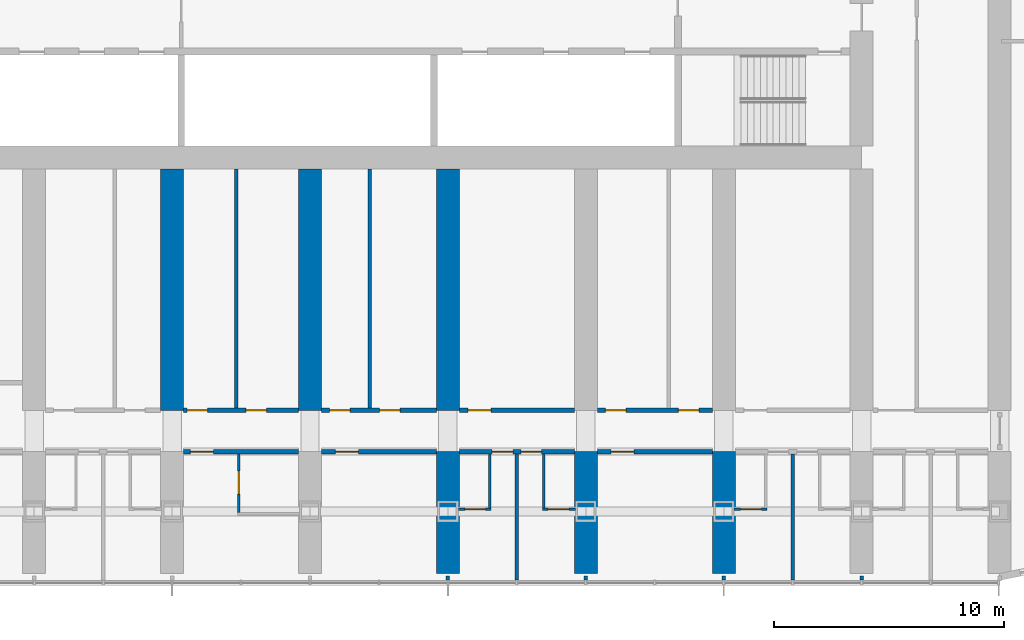
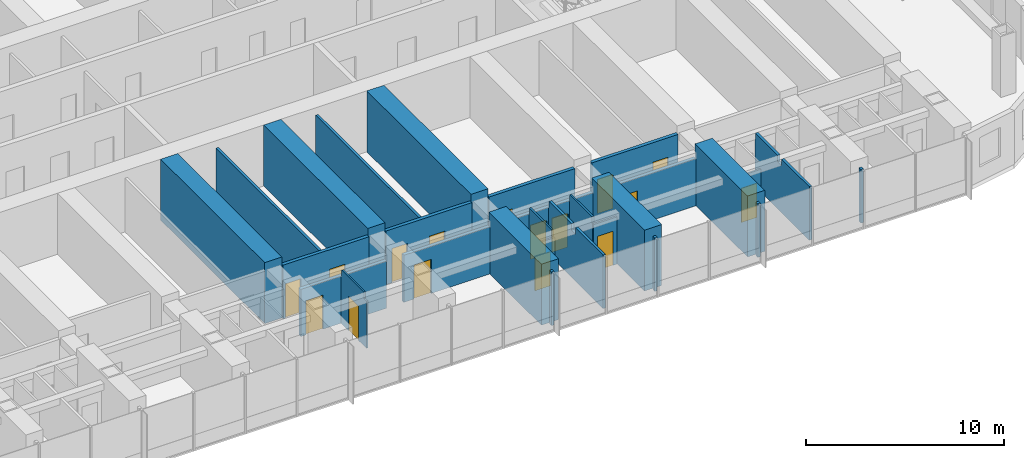
# One storey, part 12 of 24: 28 walls, 16 doors, 16 openings.
"""IFC4 building model written with IfcOpenShell, lengths in metres."""

from ifc_helpers import new_model, si_unit, direction, frame, frame_2d, origin, place, context, subcontext, project, spatial, polyline, rectangle, outline, extrude, material, layer, layer_set, type_object, element, fill, save


model = new_model("IFC4")

# Units and contexts
model_context = context("Model", 3, precision=1e-05, world=origin(), true_north=direction((0.0, 1.0)))
body_context = subcontext(model_context, "Body", "Model", "MODEL_VIEW")
ifc_project = project(units=[si_unit("LENGTHUNIT", "METRE"), si_unit("AREAUNIT", "SQUARE_METRE"), si_unit("VOLUMEUNIT", "CUBIC_METRE"), si_unit("PLANEANGLEUNIT", "RADIAN"), si_unit("MASSUNIT", "GRAM", prefix="KILO")], contexts=[model_context])

# Site, building, storey
site_placement = place(None, origin())
site = spatial("IfcSite", under=ifc_project, at=site_placement, CompositionType="ELEMENT")
building_placement = place(site_placement, origin())
building = spatial("IfcBuilding", under=site, at=building_placement, Name="Orbita Commons", CompositionType="ELEMENT")
storey_placement = place(building_placement, frame((0.0, 0.0, 20.199951171875)))
storey = spatial("IfcBuildingStorey", under=building, at=storey_placement, Name="L04", CompositionType="ELEMENT", Elevation=20.199951171875)

# Wall, opening, door
ifc_material_1 = material(Name="Concrete blockwork", Category="masonry")
ifc_layer_1 = layer(ifc_material_1, 0.199951171875)
ifc_layer_set_1 = layer_set([ifc_layer_1], Name="Concrete blockwork")
wall_type_1 = type_object("IfcWallType", Name="Corridor wall 200 blockwork", PredefinedType="SOLIDWALL", material=ifc_layer_set_1)
wall_1_placement = place(storey_placement, frame((36.5, 13.0, 0.0), z_axis=(0.0, 0.0, 1.0), x_axis=(1.0, 0.0, 0.0)))
wall_1 = element("IfcWall", 1, at=wall_1_placement, inside=storey, type_object=wall_type_1, Name="Corridor wall 200 blockwork L04", PredefinedType="SOLIDWALL", context=body_context, shape_type="SweptSolid", body=[
    extrude(outline(polyline([(0.0, 0.0), (5.0, 0.0), (5.0, 2.900146484375), (0.0, 2.900146484375), (0.0, 0.0)])), frame((0.0, 0.10009765625, 0.0), z_axis=(0.0, -1.0, 0.0), x_axis=(1.0, 0.0, 0.0)), (0.0, 0.0, 1.0), 0.199951171875),
])
opening_1_placement = place(wall_1_placement, frame((0.300048828125, 0.0, 0.0)))
opening_1 = element("IfcOpeningElement", 2, at=opening_1_placement, cuts=wall_1, Name="Opening D06", PredefinedType="OPENING", context=body_context, shape_type="SweptSolid", body=[
    extrude(rectangle(XDim=1.0, YDim=2.10009765625, at=frame_2d((0.5, 1.050048828125))), frame((0.0, 0.10986328125, 0.0), z_axis=(0.0, -1.0, 0.0), x_axis=(1.0, 0.0, 0.0)), (0.0, 0.0, 1.0), 0.219970703125),
])
ifc_material_2 = material(Name="Steel-faced fire door leaf", Category="steel")
door_type_1 = type_object("IfcDoorType", Name="Corridor door 20 min 1000x2100", OperationType="SINGLE_SWING_LEFT", PredefinedType="DOOR", material=ifc_material_2)
door_1_placement = place(opening_1_placement, origin())
door_1 = element("IfcDoor", 3, at=door_1_placement, inside=storey, type_object=door_type_1, Name="Accessible bedroom L04-S08 door", OperationType="SINGLE_SWING_LEFT", OverallHeight=2.10009765625, OverallWidth=1.0, PredefinedType="DOOR", context=body_context, shape_type="SweptSolid", body=[
    extrude(rectangle(XDim=1.0, YDim=2.10009765625, at=frame_2d((0.5, 1.050048828125))), frame((0.0, 0.02490234375, 0.0), z_axis=(0.0, -1.0, 0.0), x_axis=(1.0, 0.0, 0.0)), (0.0, 0.0, 1.0), 0.050048828125),
])
fill(opening_1, door_1)

wall_2_placement = place(storey_placement, frame((42.5, 13.0, 0.0), z_axis=(0.0, 0.0, 1.0), x_axis=(1.0, 0.0, 0.0)))
wall_2 = element("IfcWall", 4, at=wall_2_placement, inside=storey, type_object=wall_type_1, Name="Corridor wall 200 blockwork L04", PredefinedType="SOLIDWALL", context=body_context, shape_type="SweptSolid", body=[
    extrude(outline(polyline([(0.0, 0.0), (5.0, 0.0), (5.0, 2.900146484375), (0.0, 2.900146484375), (0.0, 0.0)])), frame((0.0, 0.10009765625, 0.0), z_axis=(0.0, -1.0, 0.0), x_axis=(1.0, 0.0, 0.0)), (0.0, 0.0, 1.0), 0.199951171875),
])
opening_2_placement = place(wall_2_placement, frame((0.60009765625, 0.0, 0.0)))
opening_2 = element("IfcOpeningElement", 5, at=opening_2_placement, cuts=wall_2, Name="Opening D06", PredefinedType="OPENING", context=body_context, shape_type="SweptSolid", body=[
    extrude(rectangle(XDim=1.0, YDim=2.10009765625, at=frame_2d((0.5, 1.050048828125))), frame((0.0, 0.10986328125, 0.0), z_axis=(0.0, -1.0, 0.0), x_axis=(1.0, 0.0, 0.0)), (0.0, 0.0, 1.0), 0.219970703125),
])
door_2_placement = place(opening_2_placement, origin())
door_2 = element("IfcDoor", 6, at=door_2_placement, inside=storey, type_object=door_type_1, Name="House kitchen-diner L04-S10 door", OperationType="SINGLE_SWING_LEFT", OverallHeight=2.10009765625, OverallWidth=1.0, PredefinedType="DOOR", context=body_context, shape_type="SweptSolid", body=[
    extrude(rectangle(XDim=1.0, YDim=2.10009765625, at=frame_2d((0.5, 1.050048828125))), frame((0.0, 0.02490234375, 0.0), z_axis=(0.0, -1.0, 0.0), x_axis=(1.0, 0.0, 0.0)), (0.0, 0.0, 1.0), 0.050048828125),
])
fill(opening_2, door_2)

# Wall, openings, doors
wall_3_placement = place(storey_placement, frame((48.5, 13.0, 0.0), z_axis=(0.0, 0.0, 1.0), x_axis=(1.0, 0.0, 0.0)))
wall_3 = element("IfcWall", 7, at=wall_3_placement, inside=storey, type_object=wall_type_1, Name="Corridor wall 200 blockwork L04", PredefinedType="SOLIDWALL", context=body_context, shape_type="SweptSolid", body=[
    extrude(outline(polyline([(0.0, 0.0), (5.0, 0.0), (5.0, 2.900146484375), (0.0, 2.900146484375), (0.0, 0.0)])), frame((0.0, 0.10009765625, 0.0), z_axis=(0.0, -1.0, 0.0), x_axis=(1.0, 0.0, 0.0)), (0.0, 0.0, 1.0), 0.199951171875),
])
opening_3_placement = place(wall_3_placement, frame((1.425048828125, 0.0, 0.0)))
opening_3 = element("IfcOpeningElement", 8, at=opening_3_placement, cuts=wall_3, Name="Opening D11", PredefinedType="OPENING", context=body_context, shape_type="SweptSolid", body=[
    extrude(rectangle(XDim=0.89990234375, YDim=2.10009765625, at=frame_2d((0.449951171875, 1.050048828125))), frame((0.0, 0.10986328125, 0.0), z_axis=(0.0, -1.0, 0.0), x_axis=(1.0, 0.0, 0.0)), (0.0, 0.0, 1.0), 0.219970703125),
])
opening_4_placement = place(wall_3_placement, frame((2.675048828125, 0.0, 0.0)))
opening_4 = element("IfcOpeningElement", 9, at=opening_4_placement, cuts=wall_3, Name="Opening D11", PredefinedType="OPENING", context=body_context, shape_type="SweptSolid", body=[
    extrude(rectangle(XDim=0.89990234375, YDim=2.10009765625, at=frame_2d((0.449951171875, 1.050048828125))), frame((0.0, 0.10986328125, 0.0), z_axis=(0.0, -1.0, 0.0), x_axis=(1.0, 0.0, 0.0)), (0.0, 0.0, 1.0), 0.219970703125),
])
ifc_material_3 = material(Name="Steel-faced fire door leaf", Category="steel")
door_type_2 = type_object("IfcDoorType", Name="Corridor door 20 min 900x2100", OperationType="SINGLE_SWING_LEFT", PredefinedType="DOOR", material=ifc_material_3)
door_3_placement = place(opening_3_placement, origin())
door_3 = element("IfcDoor", 10, at=door_3_placement, inside=storey, type_object=door_type_2, Name="House bedroom L04-S12 door", OperationType="SINGLE_SWING_LEFT", OverallHeight=2.10009765625, OverallWidth=0.89990234375, PredefinedType="DOOR", context=body_context, shape_type="SweptSolid", body=[
    extrude(rectangle(XDim=0.89990234375, YDim=2.10009765625, at=frame_2d((0.449951171875, 1.050048828125))), frame((0.0, 0.02490234375, 0.0), z_axis=(0.0, -1.0, 0.0), x_axis=(1.0, 0.0, 0.0)), (0.0, 0.0, 1.0), 0.050048828125),
])
fill(opening_3, door_3)
door_4_placement = place(opening_4_placement, origin())
door_4 = element("IfcDoor", 11, at=door_4_placement, inside=storey, type_object=door_type_2, Name="House bedroom L04-S13 door", OperationType="SINGLE_SWING_LEFT", OverallHeight=2.10009765625, OverallWidth=0.89990234375, PredefinedType="DOOR", context=body_context, shape_type="SweptSolid", body=[
    extrude(rectangle(XDim=0.89990234375, YDim=2.10009765625, at=frame_2d((0.449951171875, 1.050048828125))), frame((0.0, 0.02490234375, 0.0), z_axis=(0.0, -1.0, 0.0), x_axis=(1.0, 0.0, 0.0)), (0.0, 0.0, 1.0), 0.050048828125),
])
fill(opening_4, door_4)

# Wall, opening, door
wall_4_placement = place(storey_placement, frame((54.5, 13.0, 0.0), z_axis=(0.0, 0.0, 1.0), x_axis=(1.0, 0.0, 0.0)))
wall_4 = element("IfcWall", 12, at=wall_4_placement, inside=storey, type_object=wall_type_1, Name="Corridor wall 200 blockwork L04", PredefinedType="SOLIDWALL", context=body_context, shape_type="SweptSolid", body=[
    extrude(outline(polyline([(0.0, 0.0), (5.0, 0.0), (5.0, 2.900146484375), (0.0, 2.900146484375), (0.0, 0.0)])), frame((0.0, 0.10009765625, 0.0), z_axis=(0.0, -1.0, 0.0), x_axis=(1.0, 0.0, 0.0)), (0.0, 0.0, 1.0), 0.199951171875),
])
opening_5_placement = place(wall_4_placement, frame((0.60009765625, 0.0, 0.0)))
opening_5 = element("IfcOpeningElement", 13, at=opening_5_placement, cuts=wall_4, Name="Opening D06", PredefinedType="OPENING", context=body_context, shape_type="SweptSolid", body=[
    extrude(rectangle(XDim=1.0, YDim=2.10009765625, at=frame_2d((0.5, 1.050048828125))), frame((0.0, 0.10986328125, 0.0), z_axis=(0.0, -1.0, 0.0), x_axis=(1.0, 0.0, 0.0)), (0.0, 0.0, 1.0), 0.219970703125),
])
door_5_placement = place(opening_5_placement, origin())
door_5 = element("IfcDoor", 14, at=door_5_placement, inside=storey, type_object=door_type_1, Name="House study room L04-S14 door", OperationType="SINGLE_SWING_LEFT", OverallHeight=2.10009765625, OverallWidth=1.0, PredefinedType="DOOR", context=body_context, shape_type="SweptSolid", body=[
    extrude(rectangle(XDim=1.0, YDim=2.10009765625, at=frame_2d((0.5, 1.050048828125))), frame((0.0, 0.02490234375, 0.0), z_axis=(0.0, -1.0, 0.0), x_axis=(1.0, 0.0, 0.0)), (0.0, 0.0, 1.0), 0.050048828125),
])
fill(opening_5, door_5)

# Wall, openings, doors
ifc_material_4 = material(Name="Hollow concrete block 200", Category="concrete")
ifc_layer_2 = layer(ifc_material_4, 0.199951171875)
ifc_layer_set_2 = layer_set([ifc_layer_2], Name="Hollow concrete block 200")
wall_type_2 = type_object("IfcWallType", Name="Corridor wall 200 hollow concrete block", PredefinedType="SOLIDWALL", material=ifc_layer_set_2)
wall_5_placement = place(storey_placement, frame((36.5, 14.800048828125, 0.0), z_axis=(0.0, 0.0, 1.0), x_axis=(1.0, 0.0, 0.0)))
wall_5 = element("IfcWall", 15, at=wall_5_placement, inside=storey, type_object=wall_type_2, Name="Corridor wall 200 hollow concrete block L04", PredefinedType="SOLIDWALL", context=body_context, shape_type="SweptSolid", body=[
    extrude(rectangle(XDim=5.0, YDim=0.199951171875, at=frame_2d((2.5, 0.0))), origin(), (0.0, 0.0, 1.0), 3.300048828125),
])
opening_6_placement = place(wall_5_placement, frame((0.14990234375, 0.0, 0.0)))
opening_6 = element("IfcOpeningElement", 16, at=opening_6_placement, cuts=wall_5, Name="Opening D11", PredefinedType="OPENING", context=body_context, shape_type="SweptSolid", body=[
    extrude(rectangle(XDim=0.89990234375, YDim=2.10009765625, at=frame_2d((0.449951171875, 1.050048828125))), frame((0.0, 0.10986328125, 0.0), z_axis=(0.0, -1.0, 0.0), x_axis=(1.0, 0.0, 0.0)), (0.0, 0.0, 1.0), 0.219970703125),
])
opening_7_placement = place(wall_5_placement, frame((2.715087890625, 0.0, 0.0)))
opening_7 = element("IfcOpeningElement", 17, at=opening_7_placement, cuts=wall_5, Name="Opening D11", PredefinedType="OPENING", context=body_context, shape_type="SweptSolid", body=[
    extrude(rectangle(XDim=0.89990234375, YDim=2.10009765625, at=frame_2d((0.449951171875, 1.050048828125))), frame((0.0, 0.10986328125, 0.0), z_axis=(0.0, -1.0, 0.0), x_axis=(1.0, 0.0, 0.0)), (0.0, 0.0, 1.0), 0.219970703125),
])
door_6_placement = place(opening_6_placement, origin())
door_6 = element("IfcDoor", 18, at=door_6_placement, inside=storey, type_object=door_type_2, Name="Quiet room L04-BDS36 door", OperationType="SINGLE_SWING_LEFT", OverallHeight=2.10009765625, OverallWidth=0.89990234375, PredefinedType="DOOR", context=body_context, shape_type="SweptSolid", body=[
    extrude(rectangle(XDim=0.89990234375, YDim=2.10009765625, at=frame_2d((0.449951171875, 1.050048828125))), frame((0.0, 0.02490234375, 0.0), z_axis=(0.0, -1.0, 0.0), x_axis=(1.0, 0.0, 0.0)), (0.0, 0.0, 1.0), 0.050048828125),
])
fill(opening_6, door_6)
door_7_placement = place(opening_7_placement, origin())
door_7 = element("IfcDoor", 19, at=door_7_placement, inside=storey, type_object=door_type_2, Name="Equipment store L04-BDS36n door", OperationType="SINGLE_SWING_LEFT", OverallHeight=2.10009765625, OverallWidth=0.89990234375, PredefinedType="DOOR", context=body_context, shape_type="SweptSolid", body=[
    extrude(rectangle(XDim=0.89990234375, YDim=2.10009765625, at=frame_2d((0.449951171875, 1.050048828125))), frame((0.0, 0.02490234375, 0.0), z_axis=(0.0, -1.0, 0.0), x_axis=(1.0, 0.0, 0.0)), (0.0, 0.0, 1.0), 0.050048828125),
])
fill(opening_7, door_7)

wall_6_placement = place(storey_placement, frame((42.5, 14.800048828125, 0.0), z_axis=(0.0, 0.0, 1.0), x_axis=(1.0, 0.0, 0.0)))
wall_6 = element("IfcWall", 20, at=wall_6_placement, inside=storey, type_object=wall_type_2, Name="Corridor wall 200 hollow concrete block L04", PredefinedType="SOLIDWALL", context=body_context, shape_type="SweptSolid", body=[
    extrude(rectangle(XDim=5.0, YDim=0.199951171875, at=frame_2d((2.5, 0.0))), origin(), (0.0, 0.0, 1.0), 3.300048828125),
])
opening_8_placement = place(wall_6_placement, frame((0.35009765625, 0.0, 0.0)))
opening_8 = element("IfcOpeningElement", 21, at=opening_8_placement, cuts=wall_6, Name="Opening D11", PredefinedType="OPENING", context=body_context, shape_type="SweptSolid", body=[
    extrude(rectangle(XDim=0.89990234375, YDim=2.10009765625, at=frame_2d((0.449951171875, 1.050048828125))), frame((0.0, 0.10986328125, 0.0), z_axis=(0.0, -1.0, 0.0), x_axis=(1.0, 0.0, 0.0)), (0.0, 0.0, 1.0), 0.219970703125),
])
opening_9_placement = place(wall_6_placement, frame((2.52490234375, 0.0, 0.0)))
opening_9 = element("IfcOpeningElement", 22, at=opening_9_placement, cuts=wall_6, Name="Opening D11", PredefinedType="OPENING", context=body_context, shape_type="SweptSolid", body=[
    extrude(rectangle(XDim=0.89990234375, YDim=2.10009765625, at=frame_2d((0.449951171875, 1.050048828125))), frame((0.0, 0.10986328125, 0.0), z_axis=(0.0, -1.0, 0.0), x_axis=(1.0, 0.0, 0.0)), (0.0, 0.0, 1.0), 0.219970703125),
])
door_8_placement = place(opening_8_placement, origin())
door_8 = element("IfcDoor", 23, at=door_8_placement, inside=storey, type_object=door_type_2, Name="Battery and UPS room L04-BDS42n door", OperationType="SINGLE_SWING_LEFT", OverallHeight=2.10009765625, OverallWidth=0.89990234375, PredefinedType="DOOR", context=body_context, shape_type="SweptSolid", body=[
    extrude(rectangle(XDim=0.89990234375, YDim=2.10009765625, at=frame_2d((0.449951171875, 1.050048828125))), frame((0.0, 0.02490234375, 0.0), z_axis=(0.0, -1.0, 0.0), x_axis=(1.0, 0.0, 0.0)), (0.0, 0.0, 1.0), 0.050048828125),
])
fill(opening_8, door_8)
door_9_placement = place(opening_9_placement, origin())
door_9 = element("IfcDoor", 24, at=door_9_placement, inside=storey, type_object=door_type_2, Name="House pantry L04-BDS42 door", OperationType="SINGLE_SWING_LEFT", OverallHeight=2.10009765625, OverallWidth=0.89990234375, PredefinedType="DOOR", context=body_context, shape_type="SweptSolid", body=[
    extrude(rectangle(XDim=0.89990234375, YDim=2.10009765625, at=frame_2d((0.449951171875, 1.050048828125))), frame((0.0, 0.02490234375, 0.0), z_axis=(0.0, -1.0, 0.0), x_axis=(1.0, 0.0, 0.0)), (0.0, 0.0, 1.0), 0.050048828125),
])
fill(opening_9, door_9)

# Wall, opening, door
wall_7_placement = place(storey_placement, frame((48.5, 14.800048828125, 0.0), z_axis=(0.0, 0.0, 1.0), x_axis=(1.0, 0.0, 0.0)))
wall_7 = element("IfcWall", 25, at=wall_7_placement, inside=storey, type_object=wall_type_2, Name="Corridor wall 200 hollow concrete block L04", PredefinedType="SOLIDWALL", context=body_context, shape_type="SweptSolid", body=[
    extrude(rectangle(XDim=5.0, YDim=0.199951171875, at=frame_2d((2.5, 0.0))), origin(), (0.0, 0.0, 1.0), 3.300048828125),
])
opening_10_placement = place(wall_7_placement, frame((0.375, 0.0, 0.0)))
opening_10 = element("IfcOpeningElement", 26, at=opening_10_placement, cuts=wall_7, Name="Opening D06", PredefinedType="OPENING", context=body_context, shape_type="SweptSolid", body=[
    extrude(rectangle(XDim=1.0, YDim=2.10009765625, at=frame_2d((0.5, 1.050048828125))), frame((0.0, 0.10986328125, 0.0), z_axis=(0.0, -1.0, 0.0), x_axis=(1.0, 0.0, 0.0)), (0.0, 0.0, 1.0), 0.219970703125),
])
door_10_placement = place(opening_10_placement, origin())
door_10 = element("IfcDoor", 27, at=door_10_placement, inside=storey, type_object=door_type_1, Name="Linen store L04-BDS48 door", OperationType="SINGLE_SWING_LEFT", OverallHeight=2.10009765625, OverallWidth=1.0, PredefinedType="DOOR", context=body_context, shape_type="SweptSolid", body=[
    extrude(rectangle(XDim=1.0, YDim=2.10009765625, at=frame_2d((0.5, 1.050048828125))), frame((0.0, 0.02490234375, 0.0), z_axis=(0.0, -1.0, 0.0), x_axis=(1.0, 0.0, 0.0)), (0.0, 0.0, 1.0), 0.050048828125),
])
fill(opening_10, door_10)

# Wall, openings, doors
wall_8_placement = place(storey_placement, frame((54.5, 14.800048828125, 0.0), z_axis=(0.0, 0.0, 1.0), x_axis=(1.0, 0.0, 0.0)))
wall_8 = element("IfcWall", 28, at=wall_8_placement, inside=storey, type_object=wall_type_2, Name="Corridor wall 200 hollow concrete block L04", PredefinedType="SOLIDWALL", context=body_context, shape_type="SweptSolid", body=[
    extrude(rectangle(XDim=5.0, YDim=0.199951171875, at=frame_2d((2.5, 0.0))), origin(), (0.0, 0.0, 1.0), 3.300048828125),
])
opening_11_placement = place(wall_8_placement, frame((0.35009765625, 0.0, 0.0)))
opening_11 = element("IfcOpeningElement", 29, at=opening_11_placement, cuts=wall_8, Name="Opening D11", PredefinedType="OPENING", context=body_context, shape_type="SweptSolid", body=[
    extrude(rectangle(XDim=0.89990234375, YDim=2.10009765625, at=frame_2d((0.449951171875, 1.050048828125))), frame((0.0, 0.10986328125, 0.0), z_axis=(0.0, -1.0, 0.0), x_axis=(1.0, 0.0, 0.0)), (0.0, 0.0, 1.0), 0.219970703125),
])
opening_12_placement = place(wall_8_placement, frame((3.52490234375, 0.0, 0.0)))
opening_12 = element("IfcOpeningElement", 30, at=opening_12_placement, cuts=wall_8, Name="Opening D11", PredefinedType="OPENING", context=body_context, shape_type="SweptSolid", body=[
    extrude(rectangle(XDim=0.89990234375, YDim=2.10009765625, at=frame_2d((0.449951171875, 1.050048828125))), frame((0.0, 0.10986328125, 0.0), z_axis=(0.0, -1.0, 0.0), x_axis=(1.0, 0.0, 0.0)), (0.0, 0.0, 1.0), 0.219970703125),
])
door_11_placement = place(opening_11_placement, origin())
door_11 = element("IfcDoor", 31, at=door_11_placement, inside=storey, type_object=door_type_2, Name="Sprinkler valve room L04-BDS54n door", OperationType="SINGLE_SWING_LEFT", OverallHeight=2.10009765625, OverallWidth=0.89990234375, PredefinedType="DOOR", context=body_context, shape_type="SweptSolid", body=[
    extrude(rectangle(XDim=0.89990234375, YDim=2.10009765625, at=frame_2d((0.449951171875, 1.050048828125))), frame((0.0, 0.02490234375, 0.0), z_axis=(0.0, -1.0, 0.0), x_axis=(1.0, 0.0, 0.0)), (0.0, 0.0, 1.0), 0.050048828125),
])
fill(opening_11, door_11)
door_12_placement = place(opening_12_placement, origin())
door_12 = element("IfcDoor", 32, at=door_12_placement, inside=storey, type_object=door_type_2, Name="Parcel and post room L04-BDS54 door", OperationType="SINGLE_SWING_LEFT", OverallHeight=2.10009765625, OverallWidth=0.89990234375, PredefinedType="DOOR", context=body_context, shape_type="SweptSolid", body=[
    extrude(rectangle(XDim=0.89990234375, YDim=2.10009765625, at=frame_2d((0.449951171875, 1.050048828125))), frame((0.0, 0.02490234375, 0.0), z_axis=(0.0, -1.0, 0.0), x_axis=(1.0, 0.0, 0.0)), (0.0, 0.0, 1.0), 0.050048828125),
])
fill(opening_12, door_12)

# Walls
ifc_material_5 = material(Name="Concrete C50/60", Category="concrete")
ifc_layer_3 = layer(ifc_material_5, 1.0)
ifc_layer_set_3 = layer_set([ifc_layer_3], Name="Concrete C50/60")
wall_type_3 = type_object("IfcWallType", Name="Cross wall 1000 C50/60", PredefinedType="SHEAR", material=ifc_layer_set_3)
for number, where, z_axis, x_axis, name in (
    (33, (36.0, 14.800048828125, 0.0), (0.0, 0.0, 1.0), (0.0, 1.0, 0.0), "Cross wall 7 south inner L04"),
    (34, (42.0, 14.800048828125, 0.0), (0.0, 0.0, 1.0), (0.0, 1.0, 0.0), "Cross wall 8 south inner L04"),
):
    element("IfcWall", number, at=place(storey_placement, frame(where, z_axis=z_axis, x_axis=x_axis)), inside=storey, type_object=wall_type_3, Name=name, PredefinedType="SHEAR", context=body_context, shape_type="SweptSolid", body=[
        extrude(rectangle(XDim=10.5, YDim=1.0, at=frame_2d((5.25, 0.0))), origin(), (0.0, 0.0, 1.0), 3.75),
    ])
wall_9_placement = place(storey_placement, frame((48.0, 7.699951171875, 0.0), z_axis=(0.0, 0.0, 1.0), x_axis=(0.0, 1.0, 0.0)))
element("IfcWall", 35, at=wall_9_placement, inside=storey, type_object=wall_type_3, Name="Cross wall 9 south outer L04", PredefinedType="SHEAR", context=body_context, shape_type="SweptSolid", body=[
    extrude(rectangle(XDim=5.300048828125, YDim=1.0, at=frame_2d((2.64990234375, 0.0))), origin(), (0.0, 0.0, 1.0), 3.75),
])
wall_10_placement = place(storey_placement, frame((48.0, 14.800048828125, 0.0), z_axis=(0.0, 0.0, 1.0), x_axis=(0.0, 1.0, 0.0)))
element("IfcWall", 36, at=wall_10_placement, inside=storey, type_object=wall_type_3, Name="Cross wall 9 south inner L04", PredefinedType="SHEAR", context=body_context, shape_type="SweptSolid", body=[
    extrude(rectangle(XDim=10.5, YDim=1.0, at=frame_2d((5.25, 0.0))), origin(), (0.0, 0.0, 1.0), 3.75),
])
for number, where, z_axis, x_axis, name in (
    (37, (54.0, 7.699951171875, 0.0), (0.0, 0.0, 1.0), (0.0, 1.0, 0.0), "Cross wall 10 south outer L04"),
    (38, (60.0, 7.699951171875, 0.0), (0.0, 0.0, 1.0), (0.0, 1.0, 0.0), "Cross wall 11 south outer L04"),
):
    element("IfcWall", number, at=place(storey_placement, frame(where, z_axis=z_axis, x_axis=x_axis)), inside=storey, type_object=wall_type_3, Name=name, PredefinedType="SHEAR", context=body_context, shape_type="SweptSolid", body=[
        extrude(rectangle(XDim=5.300048828125, YDim=1.0, at=frame_2d((2.64990234375, 0.0))), origin(), (0.0, 0.0, 1.0), 3.75),
    ])

# Wall, opening, door
ifc_material_6 = material(Name="Moisture-resistant plasterboard on steel studs", Category="steel")
ifc_layer_4 = layer(ifc_material_6, 0.10009765625)
ifc_layer_set_4 = layer_set([ifc_layer_4], Name="Moisture-resistant plasterboard on steel studs")
wall_type_4 = type_object("IfcWallType", Name="En-suite partition 100", PredefinedType="PARTITIONING", material=ifc_layer_set_4)
wall_11_placement = place(storey_placement, frame((38.89990234375, 10.35009765625, 0.0), z_axis=(0.0, 0.0, 1.0), x_axis=(0.0, 1.0, 0.0)))
wall_11 = element("IfcWall", 39, at=wall_11_placement, inside=storey, type_object=wall_type_4, Name="En-suite partition 100 L04", PredefinedType="PARTITIONING", context=body_context, shape_type="SweptSolid", body=[
    extrude(outline(polyline([(0.0, 0.0), (2.5498046875, 0.0), (2.550048828125, 2.900146484375), (2.501953125, 2.900146484375), (2.5, 3.300048828125), (0.251953125, 3.300048828125), (0.25, 2.900146484375), (0.0, 2.900146484375), (0.0, 0.0)])), frame((0.0, 0.050048828125, 0.0), z_axis=(0.0, -1.0, 0.0), x_axis=(1.0, 0.0, 0.0)), (0.0, 0.0, 1.0), 0.10009765625),
])
opening_13_placement = place(wall_11_placement, frame((0.800048828125, 0.0, 0.0)))
opening_13 = element("IfcOpeningElement", 40, at=opening_13_placement, cuts=wall_11, Name="Opening D13", PredefinedType="OPENING", context=body_context, shape_type="SweptSolid", body=[
    extrude(rectangle(XDim=1.0, YDim=2.10009765625, at=frame_2d((0.5, 1.050048828125))), frame((0.0, 0.06005859375, 0.0), z_axis=(0.0, -1.0, 0.0), x_axis=(1.0, 0.0, 0.0)), (0.0, 0.0, 1.0), 0.1201171875),
])
ifc_material_7 = material(Name="Laminated timber door leaf", Category="wood")
door_type_3 = type_object("IfcDoorType", Name="En-suite door 1000x2100", OperationType="SINGLE_SWING_RIGHT", PredefinedType="DOOR", material=ifc_material_7)
door_13_placement = place(opening_13_placement, origin())
door_13 = element("IfcDoor", 41, at=door_13_placement, inside=storey, type_object=door_type_3, Name="Accessible shower room L04-S08 door", OperationType="SINGLE_SWING_RIGHT", OverallHeight=2.10009765625, OverallWidth=1.0, PredefinedType="DOOR", context=body_context, shape_type="SweptSolid", body=[
    extrude(rectangle(XDim=1.0, YDim=2.10009765625, at=frame_2d((0.5, 1.050048828125))), frame((0.0, 0.02490234375, 0.0), z_axis=(0.0, -1.0, 0.0), x_axis=(1.0, 0.0, 0.0)), (0.0, 0.0, 1.0), 0.050048828125),
])
fill(opening_13, door_13)

wall_12_placement = place(storey_placement, frame((49.875, 10.5, 0.0), z_axis=(0.0, 0.0, 1.0), x_axis=(-1.0, 0.0, 0.0)))
wall_12 = element("IfcWall", 42, at=wall_12_placement, inside=storey, type_object=wall_type_4, Name="En-suite partition 100 L04", PredefinedType="PARTITIONING", context=body_context, shape_type="SweptSolid", body=[
    extrude(outline(polyline([(0.0, 0.0), (1.425048828125, 0.0), (1.425048828125, 2.900146484375), (0.0, 2.900146484375), (0.0, 0.0)])), frame((0.0, 0.050048828125, 0.0), z_axis=(0.0, -1.0, 0.0), x_axis=(1.0, 0.0, 0.0)), (0.0, 0.0, 1.0), 0.10009765625),
])
opening_14_placement = place(wall_12_placement, frame((0.237548828125, 0.0, 0.0)))
opening_14 = element("IfcOpeningElement", 43, at=opening_14_placement, cuts=wall_12, Name="Opening D09", PredefinedType="OPENING", context=body_context, shape_type="SweptSolid", body=[
    extrude(rectangle(XDim=0.89990234375, YDim=2.10009765625, at=frame_2d((0.449951171875, 1.050048828125))), frame((0.0, 0.06005859375, 0.0), z_axis=(0.0, -1.0, 0.0), x_axis=(1.0, 0.0, 0.0)), (0.0, 0.0, 1.0), 0.1201171875),
])
ifc_material_8 = material(Name="Laminated timber door leaf", Category="wood")
door_type_4 = type_object("IfcDoorType", Name="En-suite door 900x2100", OperationType="SINGLE_SWING_RIGHT", PredefinedType="DOOR", material=ifc_material_8)
door_14_placement = place(opening_14_placement, origin())
door_14 = element("IfcDoor", 44, at=door_14_placement, inside=storey, type_object=door_type_4, Name="En-suite L04-S12 door", OperationType="SINGLE_SWING_RIGHT", OverallHeight=2.10009765625, OverallWidth=0.89990234375, PredefinedType="DOOR", context=body_context, shape_type="SweptSolid", body=[
    extrude(rectangle(XDim=0.89990234375, YDim=2.10009765625, at=frame_2d((0.449951171875, 1.050048828125))), frame((0.0, 0.02490234375, 0.0), z_axis=(0.0, -1.0, 0.0), x_axis=(1.0, 0.0, 0.0)), (0.0, 0.0, 1.0), 0.050048828125),
])
fill(opening_14, door_14)

# Wall
wall_13_placement = place(storey_placement, frame((49.824951171875, 10.550048828125, 0.0), z_axis=(0.0, 0.0, 1.0), x_axis=(0.0, 1.0, 0.0)))
element("IfcWall", 45, at=wall_13_placement, inside=storey, type_object=wall_type_4, Name="En-suite partition 100 L04", PredefinedType="PARTITIONING", context=body_context, shape_type="SweptSolid", body=[
    extrude(outline(polyline([(0.0, 0.0), (2.349853515625, 0.0), (2.35009765625, 2.900146484375), (2.302001953125, 2.900146484375), (2.300048828125, 3.300048828125), (0.052001953125, 3.300048828125), (0.050048828125, 2.900146484375), (0.0, 2.900146484375), (0.0, 0.0)])), frame((0.0, 0.050048828125, 0.0), z_axis=(0.0, -1.0, 0.0), x_axis=(1.0, 0.0, 0.0)), (0.0, 0.0, 1.0), 0.10009765625),
])

# Wall, opening, door
wall_14_placement = place(storey_placement, frame((53.550048828125, 10.5, 0.0), z_axis=(0.0, 0.0, 1.0), x_axis=(-1.0, 0.0, 0.0)))
wall_14 = element("IfcWall", 46, at=wall_14_placement, inside=storey, type_object=wall_type_4, Name="En-suite partition 100 L04", PredefinedType="PARTITIONING", context=body_context, shape_type="SweptSolid", body=[
    extrude(outline(polyline([(0.0, 0.0), (1.425048828125, 0.0), (1.425048828125, 2.900146484375), (0.0, 2.900146484375), (0.0, 0.0)])), frame((0.0, 0.050048828125, 0.0), z_axis=(0.0, -1.0, 0.0), x_axis=(1.0, 0.0, 0.0)), (0.0, 0.0, 1.0), 0.10009765625),
])
opening_15_placement = place(wall_14_placement, frame((0.28759765625, 0.0, 0.0)))
opening_15 = element("IfcOpeningElement", 47, at=opening_15_placement, cuts=wall_14, Name="Opening D09", PredefinedType="OPENING", context=body_context, shape_type="SweptSolid", body=[
    extrude(rectangle(XDim=0.89990234375, YDim=2.10009765625, at=frame_2d((0.449951171875, 1.050048828125))), frame((0.0, 0.06005859375, 0.0), z_axis=(0.0, -1.0, 0.0), x_axis=(1.0, 0.0, 0.0)), (0.0, 0.0, 1.0), 0.1201171875),
])
door_15_placement = place(opening_15_placement, origin())
door_15 = element("IfcDoor", 48, at=door_15_placement, inside=storey, type_object=door_type_4, Name="En-suite L04-S13 door", OperationType="SINGLE_SWING_RIGHT", OverallHeight=2.10009765625, OverallWidth=0.89990234375, PredefinedType="DOOR", context=body_context, shape_type="SweptSolid", body=[
    extrude(rectangle(XDim=0.89990234375, YDim=2.10009765625, at=frame_2d((0.449951171875, 1.050048828125))), frame((0.0, 0.02490234375, 0.0), z_axis=(0.0, -1.0, 0.0), x_axis=(1.0, 0.0, 0.0)), (0.0, 0.0, 1.0), 0.050048828125),
])
fill(opening_15, door_15)

# Wall
wall_15_placement = place(storey_placement, frame((52.175048828125, 10.550048828125, 0.0), z_axis=(0.0, 0.0, 1.0), x_axis=(0.0, 1.0, 0.0)))
element("IfcWall", 49, at=wall_15_placement, inside=storey, type_object=wall_type_4, Name="En-suite partition 100 L04", PredefinedType="PARTITIONING", context=body_context, shape_type="SweptSolid", body=[
    extrude(outline(polyline([(0.0, 0.0), (2.349853515625, 0.0), (2.35009765625, 2.900146484375), (2.302001953125, 2.900146484375), (2.300048828125, 3.300048828125), (0.052001953125, 3.300048828125), (0.050048828125, 2.900146484375), (0.0, 2.900146484375), (0.0, 0.0)])), frame((0.0, 0.050048828125, 0.0), z_axis=(0.0, -1.0, 0.0), x_axis=(1.0, 0.0, 0.0)), (0.0, 0.0, 1.0), 0.10009765625),
])

# Wall, opening, door
wall_16_placement = place(storey_placement, frame((61.875, 10.5, 0.0), z_axis=(0.0, 0.0, 1.0), x_axis=(-1.0, 0.0, 0.0)))
wall_16 = element("IfcWall", 50, at=wall_16_placement, inside=storey, type_object=wall_type_4, Name="En-suite partition 100 L04", PredefinedType="PARTITIONING", context=body_context, shape_type="SweptSolid", body=[
    extrude(outline(polyline([(0.0, 0.0), (1.425048828125, 0.0), (1.425048828125, 2.900146484375), (0.0, 2.900146484375), (0.0, 0.0)])), frame((0.0, 0.050048828125, 0.0), z_axis=(0.0, -1.0, 0.0), x_axis=(1.0, 0.0, 0.0)), (0.0, 0.0, 1.0), 0.10009765625),
])
opening_16_placement = place(wall_16_placement, frame((0.237548828125, 0.0, 0.0)))
opening_16 = element("IfcOpeningElement", 51, at=opening_16_placement, cuts=wall_16, Name="Opening D09", PredefinedType="OPENING", context=body_context, shape_type="SweptSolid", body=[
    extrude(rectangle(XDim=0.89990234375, YDim=2.10009765625, at=frame_2d((0.449951171875, 1.050048828125))), frame((0.0, 0.06005859375, 0.0), z_axis=(0.0, -1.0, 0.0), x_axis=(1.0, 0.0, 0.0)), (0.0, 0.0, 1.0), 0.1201171875),
])
door_16_placement = place(opening_16_placement, origin())
door_16 = element("IfcDoor", 52, at=door_16_placement, inside=storey, type_object=door_type_4, Name="En-suite L04-S16 door", OperationType="SINGLE_SWING_RIGHT", OverallHeight=2.10009765625, OverallWidth=0.89990234375, PredefinedType="DOOR", context=body_context, shape_type="SweptSolid", body=[
    extrude(rectangle(XDim=0.89990234375, YDim=2.10009765625, at=frame_2d((0.449951171875, 1.050048828125))), frame((0.0, 0.02490234375, 0.0), z_axis=(0.0, -1.0, 0.0), x_axis=(1.0, 0.0, 0.0)), (0.0, 0.0, 1.0), 0.050048828125),
])
fill(opening_16, door_16)

# Walls
ifc_material_9 = material(Name="Gypsum plasterboard on steel studs", Category="steel")
ifc_layer_5 = layer(ifc_material_9, 0.14990234375)
ifc_layer_set_5 = layer_set([ifc_layer_5], Name="Gypsum plasterboard on steel studs")
wall_type_5 = type_object("IfcWallType", Name="Partition 150 plasterboard", PredefinedType="PARTITIONING", material=ifc_layer_set_5)
for number, where, z_axis, x_axis, name in (
    (53, (38.7900390625, 14.89990234375, 0.0), (0.0, 0.0, 1.0), (0.0, 1.0, 0.0), "Partition 150 plasterboard L04"),
    (54, (44.60009765625, 14.89990234375, 0.0), (0.0, 0.0, 1.0), (0.0, 1.0, 0.0), "Partition 150 plasterboard L04"),
):
    element("IfcWall", number, at=place(storey_placement, frame(where, z_axis=z_axis, x_axis=x_axis)), inside=storey, type_object=wall_type_5, Name=name, PredefinedType="PARTITIONING", context=body_context, shape_type="SweptSolid", body=[
        extrude(rectangle(XDim=10.400146484375, YDim=0.14990234375, at=frame_2d((5.2001953125, 0.0))), origin(), (0.0, 0.0, 1.0), 3.300048828125),
    ])
for number, where, z_axis, x_axis, name in (
    (55, (48.0, 7.60009765625, 0.0), (0.0, 0.0, 1.0), (0.0, -1.0, 0.0), "Partition 150 plasterboard L04"),
    (56, (54.0, 7.60009765625, 0.0), (0.0, 0.0, 1.0), (0.0, -1.0, 0.0), "Partition 150 plasterboard L04"),
    (57, (60.0, 7.60009765625, 0.0), (0.0, 0.0, 1.0), (0.0, -1.0, 0.0), "Partition 150 plasterboard L04"),
    (58, (66.0, 7.60009765625, 0.0), (0.0, 0.0, 1.0), (0.0, -1.0, 0.0), "Partition 150 plasterboard L04"),
):
    element("IfcWall", number, at=place(storey_placement, frame(where, z_axis=z_axis, x_axis=x_axis)), inside=storey, type_object=wall_type_5, Name=name, PredefinedType="PARTITIONING", context=body_context, shape_type="SweptSolid", body=[
        extrude(rectangle(XDim=0.190185546875, YDim=0.14990234375, at=frame_2d((0.09521484375, 0.0))), origin(), (0.0, 0.0, 1.0), 3.300048828125),
    ])
ifc_material_10 = material(Name="Gypsum plasterboard on steel studs", Category="steel")
ifc_layer_6 = layer(ifc_material_10, 0.14990234375)
ifc_layer_set_6 = layer_set([ifc_layer_6], Name="Gypsum plasterboard on steel studs")
wall_type_6 = type_object("IfcWallType", Name="Party wall 150 plasterboard", PredefinedType="PARTITIONING", material=ifc_layer_set_6)
for number, where, z_axis, x_axis, name in (
    (59, (51.0, 7.409912109375, 0.0), (0.0, 0.0, 1.0), (0.0, 1.0, 0.0), "Party wall 150 plasterboard L04"),
    (60, (63.0, 7.409912109375, 0.0), (0.0, 0.0, 1.0), (0.0, 1.0, 0.0), "Party wall 150 plasterboard L04"),
):
    element("IfcWall", number, at=place(storey_placement, frame(where, z_axis=z_axis, x_axis=x_axis)), inside=storey, type_object=wall_type_6, Name=name, PredefinedType="PARTITIONING", context=body_context, shape_type="SweptSolid", body=[
        extrude(outline(polyline([(0.0, 0.0), (5.489990234375, 0.0), (5.489990234375, 2.900146484375), (5.44189453125, 2.900146484375), (5.43994140625, 3.300048828125), (3.19189453125, 3.300048828125), (3.18994140625, 2.900146484375), (2.7919921875, 2.900146484375), (2.7900390625, 3.300048828125), (0.0, 3.300048828125), (0.0, 0.0)])), frame((0.0, 0.074951171875, 0.0), z_axis=(0.0, -1.0, 0.0), x_axis=(1.0, 0.0, 0.0)), (0.0, 0.0, 1.0), 0.14990234375),
    ])

save(model, "model.ifc")
